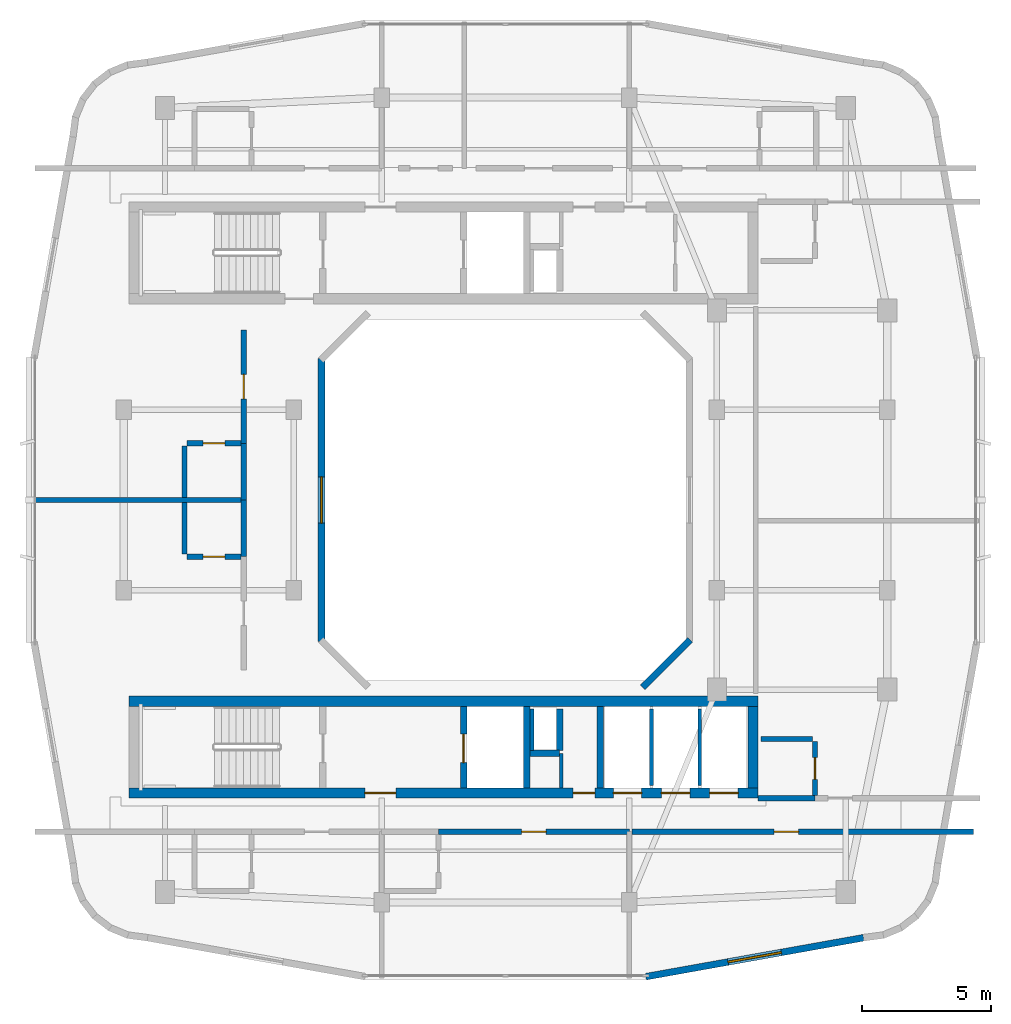
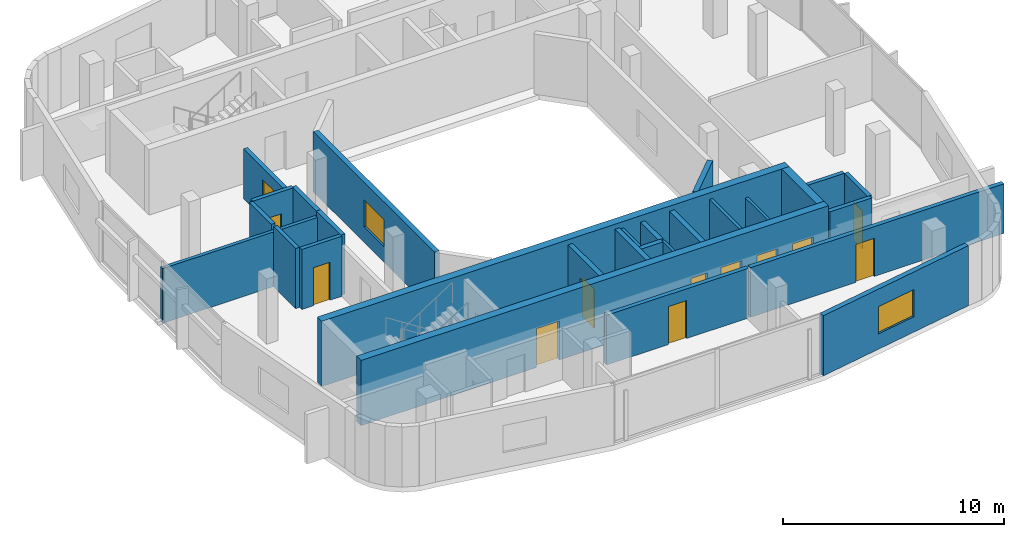
# One storey, part 5 of 10: 28 walls, 12 doors, 2 windows, 14 openings.
"""IFC4 building model written with IfcOpenShell, lengths in metres."""

from ifc_helpers import new_model, si_unit, derived_unit, direction, frame, frame_2d, origin, place, context, subcontext, project, spatial, rectangle, extrude, material, layer, layer_set, type_object, element, fill, save


model = new_model("IFC4")

# Units and contexts
model_context = context("Model", 3, precision=1e-05, world=origin(), true_north=direction((0.0, 1.0)))
body_context = subcontext(model_context, "Body", "Model", "MODEL_VIEW")
ifc_project = project(units=[si_unit("LENGTHUNIT", "METRE"), si_unit("AREAUNIT", "SQUARE_METRE"), si_unit("VOLUMEUNIT", "CUBIC_METRE"), si_unit("PLANEANGLEUNIT", "RADIAN"), si_unit("MASSUNIT", "GRAM", prefix="KILO"), derived_unit("THERMALTRANSMITTANCEUNIT", [(si_unit("POWERUNIT", "WATT"), 1), (si_unit("LENGTHUNIT", "METRE"), -2), (si_unit("THERMODYNAMICTEMPERATUREUNIT", "KELVIN"), -1)])], contexts=[model_context])

# Site, building, storey
site_placement = place(None, origin())
site = spatial("IfcSite", under=ifc_project, at=site_placement, CompositionType="ELEMENT")
building_placement = place(site_placement, origin())
building = spatial("IfcBuilding", under=site, at=building_placement, Name="Kivonza Crest Hotel", CompositionType="ELEMENT")
storey_placement = place(building_placement, frame((0.0, 0.0, 246.800048828125)))
storey = spatial("IfcBuildingStorey", under=building, at=storey_placement, Name="L67", CompositionType="ELEMENT", Elevation=246.800048828125)

# Wall
ifc_material_1 = material(Name="High-density acoustic masonry inter-tenancy wall", Category="masonry")
ifc_layer_1 = layer(ifc_material_1, 0.179931640625)
ifc_layer_set_1 = layer_set([ifc_layer_1], Name="High-density acoustic masonry inter-tenancy wall")
wall_type_1 = type_object("IfcWallType", Name="WL-ACOU-180", PredefinedType="SOLIDWALL", material=ifc_layer_set_1)
wall_1_placement = place(storey_placement, frame((2.659912109375, 25.0, 0.0), z_axis=(0.0, 0.0, 1.0), x_axis=(1.0, 0.0, 0.0)))
element("IfcWall", 1, at=wall_1_placement, inside=storey, type_object=wall_type_1, Name="L67 interior partition WA-L67-T1W-DIV1", PredefinedType="SOLIDWALL", context=body_context, shape_type="SweptSolid", body=[
    extrude(rectangle(XDim=8.190185546875, YDim=0.179931640625, at=frame_2d((4.09521484375, 0.0))), origin(), (0.0, 0.0, 1.0), 3.014892578125),
])

# Wall, opening, door
ifc_material_2 = material(Name="Autoclaved aerated concrete blockwork", Category="masonry")
ifc_layer_2 = layer(ifc_material_2, 0.219970703125)
ifc_layer_set_2 = layer_set([ifc_layer_2], Name="Autoclaved aerated concrete blockwork")
wall_type_2 = type_object("IfcWallType", Name="WL-ACOU-220", PredefinedType="SOLIDWALL", material=ifc_layer_set_2)
wall_2_placement = place(storey_placement, frame((18.39990234375, 12.139892578125, 0.0), z_axis=(0.0, 0.0, 1.0), x_axis=(1.0, 0.0, 0.0)))
wall_2 = element("IfcWall", 2, at=wall_2_placement, inside=storey, type_object=wall_type_2, Name="L67 interior partition WA-L67-S04-MCORR", PredefinedType="SOLIDWALL", context=body_context, shape_type="SweptSolid", body=[
    extrude(rectangle(XDim=7.400146484375, YDim=0.219970703125, at=frame_2d((3.7001953125, 0.0))), origin(), (0.0, 0.0, 1.0), 2.744873046875),
])
opening_1_placement = place(wall_2_placement, frame((3.22509765625, 0.0, 0.0)))
opening_1 = element("IfcOpeningElement", 3, at=opening_1_placement, cuts=wall_2, Name="Opening DU-60", PredefinedType="OPENING", context=body_context, shape_type="SweptSolid", body=[
    extrude(rectangle(XDim=0.949951171875, YDim=2.10009765625, at=frame_2d((0.47509765625, 1.050048828125))), frame((0.0, 0.1201171875, 0.0), z_axis=(0.0, -1.0, 0.0), x_axis=(1.0, 0.0, 0.0)), (0.0, 0.0, 1.0), 0.239990234375),
])
ifc_material_3 = material(Name="Hardwood timber oak", Category="wood")
door_type_1 = type_object("IfcDoorType", Name="DR-UNIT-950", OperationType="NOTDEFINED", PredefinedType="DOOR", material=ifc_material_3)
door_1_placement = place(opening_1_placement, frame((0.949951171875, 0.0, 0.0), z_axis=(0.0, 0.0, 1.0), x_axis=(-1.0, 0.0, 0.0)))
door_1 = element("IfcDoor", 4, at=door_1_placement, inside=storey, type_object=door_type_1, Name="L67 S04 guest unit entrance fire door", OperationType="SINGLE_SWING_RIGHT", OverallHeight=2.10009765625, OverallWidth=0.949951171875, PredefinedType="DOOR", context=body_context, shape_type="SweptSolid", body=[
    extrude(rectangle(XDim=0.949951171875, YDim=2.10009765625, at=frame_2d((0.47509765625, 1.050048828125))), frame((0.0, 0.02490234375, 0.0), z_axis=(0.0, -1.0, 0.0), x_axis=(1.0, 0.0, 0.0)), (0.0, 0.0, 1.0), 0.050048828125),
])
fill(opening_1, door_1)

wall_3_placement = place(storey_placement, frame((25.89990234375, 12.139892578125, 0.0), z_axis=(0.0, 0.0, 1.0), x_axis=(1.0, 0.0, 0.0)))
wall_3 = element("IfcWall", 5, at=wall_3_placement, inside=storey, type_object=wall_type_2, Name="L67 interior partition WA-L67-BUS-MTG-N", PredefinedType="SOLIDWALL", context=body_context, shape_type="SweptSolid", body=[
    extrude(rectangle(XDim=13.239990234375, YDim=0.219970703125, at=frame_2d((6.6201171875, 0.0))), origin(), (0.0, 0.0, 1.0), 2.744873046875),
])
opening_2_placement = place(wall_3_placement, frame((5.52099609375, 0.0, 0.0)))
opening_2 = element("IfcOpeningElement", 6, at=opening_2_placement, cuts=wall_3, Name="Opening DF-60S", PredefinedType="OPENING", context=body_context, shape_type="SweptSolid", body=[
    extrude(rectangle(XDim=0.949951171875, YDim=2.10009765625, at=frame_2d((0.47509765625, 1.050048828125))), frame((0.0, 0.1201171875, 0.0), z_axis=(0.0, -1.0, 0.0), x_axis=(1.0, 0.0, 0.0)), (0.0, 0.0, 1.0), 0.239990234375),
])
door_type_2 = type_object("IfcDoorType", Name="DR-FD60-950", OperationType="NOTDEFINED", PredefinedType="DOOR", material=ifc_material_3)
door_2_placement = place(opening_2_placement, frame((0.949951171875, 0.0, 0.0), z_axis=(0.0, 0.0, 1.0), x_axis=(-1.0, 0.0, 0.0)))
door_2 = element("IfcDoor", 7, at=door_2_placement, inside=storey, type_object=door_type_2, Name="L67 Guest Business Office door", OperationType="SINGLE_SWING_RIGHT", OverallHeight=2.10009765625, OverallWidth=0.949951171875, PredefinedType="DOOR", context=body_context, shape_type="SweptSolid", body=[
    extrude(rectangle(XDim=0.949951171875, YDim=2.10009765625, at=frame_2d((0.47509765625, 1.050048828125))), frame((0.0, 0.02490234375, 0.0), z_axis=(0.0, -1.0, 0.0), x_axis=(1.0, 0.0, 0.0)), (0.0, 0.0, 1.0), 0.050048828125),
])
fill(opening_2, door_2)

# Walls
for number, where, z_axis, x_axis, name in (
    (8, (10.85009765625, 22.800048828125, 0.0), (0.0, 0.0, 1.0), (0.0, 1.0, 0.0), "L67 interior partition WA-L67-W05-BCORR"),
    (9, (10.85009765625, 25.0, 0.0), (0.0, 0.0, 1.0), (0.0, 1.0, 0.0), "L67 interior partition WA-L67-W06-BCORR"),
):
    element("IfcWall", number, at=place(storey_placement, frame(where, z_axis=z_axis, x_axis=x_axis)), inside=storey, type_object=wall_type_2, Name=name, PredefinedType="SOLIDWALL", context=body_context, shape_type="SweptSolid", body=[
        extrude(rectangle(XDim=2.199951171875, YDim=0.219970703125, at=frame_2d((1.10009765625, 0.0))), origin(), (0.0, 0.0, 1.0), 3.320068359375),
    ])

# Wall, opening, door
wall_4_placement = place(storey_placement, frame((10.85009765625, 27.199951171875, 0.0), z_axis=(0.0, 0.0, 1.0), x_axis=(0.0, 1.0, 0.0)))
wall_4 = element("IfcWall", 10, at=wall_4_placement, inside=storey, type_object=wall_type_2, Name="L67 interior partition WA-L67-W06-MCORR", PredefinedType="SOLIDWALL", context=body_context, shape_type="SweptSolid", body=[
    extrude(rectangle(XDim=4.400146484375, YDim=0.219970703125, at=frame_2d((2.2001953125, 0.0))), origin(), (0.0, 0.0, 1.0), 2.744873046875),
])
opening_3_placement = place(wall_4_placement, frame((1.72509765625, 0.0, 0.0)))
opening_3 = element("IfcOpeningElement", 11, at=opening_3_placement, cuts=wall_4, Name="Opening DU-60", PredefinedType="OPENING", context=body_context, shape_type="SweptSolid", body=[
    extrude(rectangle(XDim=0.949951171875, YDim=2.10009765625, at=frame_2d((0.47509765625, 1.050048828125))), frame((0.0, 0.1201171875, 0.0), z_axis=(0.0, -1.0, 0.0), x_axis=(1.0, 0.0, 0.0)), (0.0, 0.0, 1.0), 0.239990234375),
])
door_3_placement = place(opening_3_placement, origin())
door_3 = element("IfcDoor", 12, at=door_3_placement, inside=storey, type_object=door_type_1, Name="L67 W06 guest unit entrance fire door", OperationType="SINGLE_SWING_RIGHT", OverallHeight=2.10009765625, OverallWidth=0.949951171875, PredefinedType="DOOR", context=body_context, shape_type="SweptSolid", body=[
    extrude(rectangle(XDim=0.949951171875, YDim=2.10009765625, at=frame_2d((0.47509765625, 1.050048828125))), frame((0.0, 0.02490234375, 0.0), z_axis=(0.0, -1.0, 0.0), x_axis=(1.0, 0.0, 0.0)), (0.0, 0.0, 1.0), 0.050048828125),
])
fill(opening_3, door_3)

# Wall
wall_5_placement = place(storey_placement, frame((30.800048828125, 13.43994140625, 0.0), z_axis=(0.0, 0.0, 1.0), x_axis=(1.0, 0.0, 0.0)))
element("IfcWall", 13, at=wall_5_placement, inside=storey, type_object=wall_type_2, Name="L67 interior partition WA-L67-ES07-BCORR", PredefinedType="SOLIDWALL", context=body_context, shape_type="SweptSolid", body=[
    extrude(rectangle(XDim=2.199951171875, YDim=0.219970703125, at=frame_2d((1.10009765625, 0.0))), origin(), (0.0, 0.0, 1.0), 3.320068359375),
])

# Wall, openings, doors
ifc_material_4 = material(Name="Concrete C50/60", Category="concrete")
ifc_layer_3 = layer(ifc_material_4, 0.39990234375)
ifc_layer_set_3 = layer_set([ifc_layer_3], Name="Concrete C50/60")
wall_type_3 = type_object("IfcWallType", Name="WL-CORE-400", PredefinedType="SHEAR", material=ifc_layer_set_3)
wall_6_placement = place(storey_placement, frame((6.39990234375, 13.639892578125, 0.0), z_axis=(0.0, 0.0, 1.0), x_axis=(1.0, 0.0, 0.0)))
wall_6 = element("IfcWall", 14, at=wall_6_placement, inside=storey, type_object=wall_type_3, Name="Core wall T1-S South L67", PredefinedType="SHEAR", context=body_context, shape_type="SweptSolid", body=[
    extrude(rectangle(XDim=24.400146484375, YDim=0.39990234375, at=frame_2d((12.2001953125, 0.0))), origin(), (0.0, 0.0, 1.0), 3.599853515625),
])
opening_4_placement = place(wall_6_placement, frame((9.14990234375, 0.0, 0.0)))
opening_4 = element("IfcOpeningElement", 15, at=opening_4_placement, cuts=wall_6, Name="Opening DF-60", PredefinedType="OPENING", context=body_context, shape_type="SweptSolid", body=[
    extrude(rectangle(XDim=1.199951171875, YDim=2.14990234375, at=frame_2d((0.60009765625, 1.074951171875))), frame((0.0, 0.2099609375, 0.0), z_axis=(0.0, -1.0, 0.0), x_axis=(1.0, 0.0, 0.0)), (0.0, 0.0, 1.0), 0.419921875),
])
opening_5_placement = place(wall_6_placement, frame((17.219970703125, 0.0, 0.0)))
opening_5 = element("IfcOpeningElement", 16, at=opening_5_placement, cuts=wall_6, Name="Opening DF-60R", PredefinedType="OPENING", context=body_context, shape_type="SweptSolid", body=[
    extrude(rectangle(XDim=0.85009765625, YDim=2.10009765625, at=frame_2d((0.425048828125, 1.050048828125))), frame((0.0, 0.2099609375, 0.0), z_axis=(0.0, -1.0, 0.0), x_axis=(1.0, 0.0, 0.0)), (0.0, 0.0, 1.0), 0.419921875),
])
opening_6_placement = place(wall_6_placement, frame((18.782958984375, 0.0, 0.0)))
opening_6 = element("IfcOpeningElement", 17, at=opening_6_placement, cuts=wall_6, Name="Opening LD-120", PredefinedType="OPENING", context=body_context, shape_type="SweptSolid", body=[
    extrude(rectangle(XDim=1.10009765625, YDim=2.14990234375, at=frame_2d((0.550048828125, 1.074951171875))), frame((0.0, 0.2099609375, 0.0), z_axis=(0.0, -1.0, 0.0), x_axis=(1.0, 0.0, 0.0)), (0.0, 0.0, 1.0), 0.419921875),
])
opening_7_placement = place(wall_6_placement, frame((20.64990234375, 0.0, 0.0)))
opening_7 = element("IfcOpeningElement", 18, at=opening_7_placement, cuts=wall_6, Name="Opening LD-120", PredefinedType="OPENING", context=body_context, shape_type="SweptSolid", body=[
    extrude(rectangle(XDim=1.10009765625, YDim=2.14990234375, at=frame_2d((0.550048828125, 1.074951171875))), frame((0.0, 0.2099609375, 0.0), z_axis=(0.0, -1.0, 0.0), x_axis=(1.0, 0.0, 0.0)), (0.0, 0.0, 1.0), 0.419921875),
])
opening_8_placement = place(wall_6_placement, frame((22.51708984375, 0.0, 0.0)))
opening_8 = element("IfcOpeningElement", 19, at=opening_8_placement, cuts=wall_6, Name="Opening LD-120", PredefinedType="OPENING", context=body_context, shape_type="SweptSolid", body=[
    extrude(rectangle(XDim=1.10009765625, YDim=2.14990234375, at=frame_2d((0.550048828125, 1.074951171875))), frame((0.0, 0.2099609375, 0.0), z_axis=(0.0, -1.0, 0.0), x_axis=(1.0, 0.0, 0.0)), (0.0, 0.0, 1.0), 0.419921875),
])
door_type_3 = type_object("IfcDoorType", Name="DR-FD60-1200", OperationType="NOTDEFINED", PredefinedType="DOOR", material=ifc_material_3)
door_4_placement = place(opening_4_placement, frame((1.199951171875, 0.0, 0.0), z_axis=(0.0, 0.0, 1.0), x_axis=(-1.0, 0.0, 0.0)))
door_4 = element("IfcDoor", 20, at=door_4_placement, inside=storey, type_object=door_type_3, Name="L67 T1-S firefighting lobby fire door", OperationType="SINGLE_SWING_LEFT", OverallHeight=2.14990234375, OverallWidth=1.199951171875, PredefinedType="DOOR", context=body_context, shape_type="SweptSolid", body=[
    extrude(rectangle(XDim=1.199951171875, YDim=2.14990234375, at=frame_2d((0.60009765625, 1.074951171875))), frame((0.0, 0.02490234375, 0.0), z_axis=(0.0, -1.0, 0.0), x_axis=(1.0, 0.0, 0.0)), (0.0, 0.0, 1.0), 0.050048828125),
])
fill(opening_4, door_4)
door_type_4 = type_object("IfcDoorType", Name="DR-FD60-850", OperationType="NOTDEFINED", PredefinedType="DOOR", material=ifc_material_3)
door_5_placement = place(opening_5_placement, frame((0.85009765625, 0.0, 0.0), z_axis=(0.0, 0.0, 1.0), x_axis=(-1.0, 0.0, 0.0)))
door_5 = element("IfcDoor", 21, at=door_5_placement, inside=storey, type_object=door_type_4, Name="L67 T1-S core room door", OperationType="SINGLE_SWING_RIGHT", OverallHeight=2.10009765625, OverallWidth=0.85009765625, PredefinedType="DOOR", context=body_context, shape_type="SweptSolid", body=[
    extrude(rectangle(XDim=0.85009765625, YDim=2.10009765625, at=frame_2d((0.425048828125, 1.050048828125))), frame((0.0, 0.02490234375, 0.0), z_axis=(0.0, -1.0, 0.0), x_axis=(1.0, 0.0, 0.0)), (0.0, 0.0, 1.0), 0.050048828125),
])
fill(opening_5, door_5)
ifc_material_5 = material(Name="Stainless steel", Category="steel")
door_type_5 = type_object("IfcDoorType", Name="DR-LD120-1100", OperationType="NOTDEFINED", PredefinedType="DOOR", material=ifc_material_5)
door_6_placement = place(opening_6_placement, frame((1.10009765625, 0.0, 0.0), z_axis=(0.0, 0.0, 1.0), x_axis=(-1.0, 0.0, 0.0)))
door_6 = element("IfcDoor", 22, at=door_6_placement, inside=storey, type_object=door_type_5, Name="L67 PL-T1-H1 passenger lift sliding landing door", OperationType="DOUBLE_DOOR_SLIDING", OverallHeight=2.14990234375, OverallWidth=1.10009765625, PredefinedType="DOOR", context=body_context, shape_type="SweptSolid", body=[
    extrude(rectangle(XDim=1.10009765625, YDim=2.14990234375, at=frame_2d((0.550048828125, 1.074951171875))), frame((0.0, 0.02490234375, 0.0), z_axis=(0.0, -1.0, 0.0), x_axis=(1.0, 0.0, 0.0)), (0.0, 0.0, 1.0), 0.050048828125),
])
fill(opening_6, door_6)
door_7_placement = place(opening_7_placement, frame((1.10009765625, 0.0, 0.0), z_axis=(0.0, 0.0, 1.0), x_axis=(-1.0, 0.0, 0.0)))
door_7 = element("IfcDoor", 23, at=door_7_placement, inside=storey, type_object=door_type_5, Name="L67 PL-T1-H2 passenger lift sliding landing door", OperationType="DOUBLE_DOOR_SLIDING", OverallHeight=2.14990234375, OverallWidth=1.10009765625, PredefinedType="DOOR", context=body_context, shape_type="SweptSolid", body=[
    extrude(rectangle(XDim=1.10009765625, YDim=2.14990234375, at=frame_2d((0.550048828125, 1.074951171875))), frame((0.0, 0.02490234375, 0.0), z_axis=(0.0, -1.0, 0.0), x_axis=(1.0, 0.0, 0.0)), (0.0, 0.0, 1.0), 0.050048828125),
])
fill(opening_7, door_7)
door_8_placement = place(opening_8_placement, frame((1.10009765625, 0.0, 0.0), z_axis=(0.0, 0.0, 1.0), x_axis=(-1.0, 0.0, 0.0)))
door_8 = element("IfcDoor", 24, at=door_8_placement, inside=storey, type_object=door_type_5, Name="L67 PL-T1-H3 passenger lift sliding landing door", OperationType="DOUBLE_DOOR_SLIDING", OverallHeight=2.14990234375, OverallWidth=1.10009765625, PredefinedType="DOOR", context=body_context, shape_type="SweptSolid", body=[
    extrude(rectangle(XDim=1.10009765625, YDim=2.14990234375, at=frame_2d((0.550048828125, 1.074951171875))), frame((0.0, 0.02490234375, 0.0), z_axis=(0.0, -1.0, 0.0), x_axis=(1.0, 0.0, 0.0)), (0.0, 0.0, 1.0), 0.050048828125),
])
fill(opening_8, door_8)

# Walls
wall_7_placement = place(storey_placement, frame((6.39990234375, 17.199951171875, 0.0), z_axis=(0.0, 0.0, 1.0), x_axis=(1.0, 0.0, 0.0)))
element("IfcWall", 25, at=wall_7_placement, inside=storey, type_object=wall_type_3, Name="Core wall T1-S North L67", PredefinedType="SHEAR", context=body_context, shape_type="SweptSolid", body=[
    extrude(rectangle(XDim=24.400146484375, YDim=0.39990234375, at=frame_2d((12.2001953125, 0.0))), origin(), (0.0, 0.0, 1.0), 3.599853515625),
])
wall_8_placement = place(storey_placement, frame((30.60009765625, 13.840087890625, 0.0), z_axis=(0.0, 0.0, 1.0), x_axis=(0.0, 1.0, 0.0)))
element("IfcWall", 26, at=wall_8_placement, inside=storey, type_object=wall_type_3, Name="Core wall T1-S East L67", PredefinedType="SHEAR", context=body_context, shape_type="SweptSolid", body=[
    extrude(rectangle(XDim=3.159912109375, YDim=0.39990234375, at=frame_2d((1.580078125, 0.0))), origin(), (0.0, 0.0, 1.0), 3.599853515625),
])

# Wall, opening, window
ifc_material_6 = material(Name="Precast concrete C40/50", Category="concrete")
ifc_layer_4 = layer(ifc_material_6, 0.260009765625)
ifc_layer_set_4 = layer_set([ifc_layer_4], Name="Precast concrete C40/50")
wall_type_4 = type_object("IfcWallType", Name="WL-EXT-260", PredefinedType="STANDARD", material=ifc_layer_set_4)
wall_9_placement = place(storey_placement, frame((26.443115234375, 6.51806640625, 0.0), z_axis=(0.0, 0.0, 1.0), x_axis=(0.98435676639, 0.176186709098, 0.0)))
wall_9 = element("IfcWall", 27, at=wall_9_placement, inside=storey, type_object=wall_type_4, Name="L67 T1 exterior insulated wall 9", PredefinedType="STANDARD", context=body_context, shape_type="SweptSolid", body=[
    extrude(rectangle(XDim=8.576171875, YDim=0.260009765625, at=frame_2d((4.2880859375, 0.0))), origin(), (0.0, 0.0, 1.0), 3.320068359375),
])
opening_9_placement = place(wall_9_placement, frame((3.238037109375, 0.0, 0.85009765625)))
opening_9 = element("IfcOpeningElement", 28, at=opening_9_placement, cuts=wall_9, Name="Opening WN-04", PredefinedType="OPENING", context=body_context, shape_type="SweptSolid", body=[
    extrude(rectangle(XDim=2.10009765625, YDim=1.5, at=frame_2d((1.050048828125, 0.75))), frame((0.0, 0.14013671875, 0.0), z_axis=(0.0, -1.0, 0.0), x_axis=(1.0, 0.0, 0.0)), (0.0, 0.0, 1.0), 0.280029296875),
])
ifc_material_7 = material(Name="Thermally broken bronze aluminium and low-E double glazing", Category="aluminium")
window_type_1 = type_object("IfcWindowType", Name="WN-210x150", PartitioningType="DOUBLE_PANEL_VERTICAL", PredefinedType="WINDOW", material=ifc_material_7)
window_1_placement = place(opening_9_placement, origin())
window_1 = element("IfcWindow", 29, at=window_1_placement, inside=storey, type_object=window_type_1, Name="L67 T1 facade window 9", OverallHeight=1.5, OverallWidth=2.10009765625, PartitioningType="SINGLE_PANEL", PredefinedType="WINDOW", context=body_context, shape_type="SweptSolid", body=[
    extrude(rectangle(XDim=2.10009765625, YDim=1.5, at=frame_2d((1.050048828125, 0.75))), frame((0.0, 0.030029296875, 0.0), z_axis=(0.0, -1.0, 0.0), x_axis=(1.0, 0.0, 0.0)), (0.0, 0.0, 1.0), 0.06005859375),
])
fill(opening_9, window_1)

# Wall
wall_10_placement = place(storey_placement, frame((26.322021484375, 17.738037109375, 0.0), z_axis=(0.0, 0.0, 1.0), x_axis=(0.707106781187, 0.707106781187, 0.0)))
element("IfcWall", 30, at=wall_10_placement, inside=storey, type_object=wall_type_4, Name="L67 T1 light-well exterior wall 2", PredefinedType="STANDARD", context=body_context, shape_type="SweptSolid", body=[
    extrude(rectangle(XDim=2.59375, YDim=0.260009765625, at=frame_2d((1.296875, 0.0))), origin(), (0.0, 0.0, 1.0), 3.320068359375),
])

# Wall, opening, window
wall_11_placement = place(storey_placement, frame((13.8701171875, 30.489990234375, 0.0), z_axis=(0.0, 0.0, 1.0), x_axis=(0.0, -1.0, 0.0)))
wall_11 = element("IfcWall", 31, at=wall_11_placement, inside=storey, type_object=wall_type_4, Name="L67 T1 light-well exterior wall 7", PredefinedType="STANDARD", context=body_context, shape_type="SweptSolid", body=[
    extrude(rectangle(XDim=10.97998046875, YDim=0.260009765625, at=frame_2d((5.489990234375, 0.0))), origin(), (0.0, 0.0, 1.0), 3.320068359375),
])
opening_10_placement = place(wall_11_placement, frame((4.590087890625, 0.0, 0.85009765625)))
opening_10 = element("IfcOpeningElement", 32, at=opening_10_placement, cuts=wall_11, Name="Opening WN-03", PredefinedType="OPENING", context=body_context, shape_type="SweptSolid", body=[
    extrude(rectangle(XDim=1.800048828125, YDim=1.5, at=frame_2d((0.89990234375, 0.75))), frame((0.0, 0.14013671875, 0.0), z_axis=(0.0, -1.0, 0.0), x_axis=(1.0, 0.0, 0.0)), (0.0, 0.0, 1.0), 0.280029296875),
])
window_type_2 = type_object("IfcWindowType", Name="WN-180x150", PartitioningType="DOUBLE_PANEL_VERTICAL", PredefinedType="WINDOW", material=ifc_material_7)
window_2_placement = place(opening_10_placement, origin())
window_2 = element("IfcWindow", 33, at=window_2_placement, inside=storey, type_object=window_type_2, Name="L67 T1 light-well window 7", OverallHeight=1.5, OverallWidth=1.800048828125, PartitioningType="SINGLE_PANEL", PredefinedType="WINDOW", context=body_context, shape_type="SweptSolid", body=[
    extrude(rectangle(XDim=1.800048828125, YDim=1.5, at=frame_2d((0.89990234375, 0.75))), frame((0.0, 0.030029296875, 0.0), z_axis=(0.0, -1.0, 0.0), x_axis=(1.0, 0.0, 0.0)), (0.0, 0.0, 1.0), 0.06005859375),
])
fill(opening_10, window_2)

# Walls
ifc_material_8 = material(Name="Concrete blockwork fire-compartment wall", Category="masonry")
ifc_layer_5 = layer(ifc_material_8, 0.25)
ifc_layer_set_5 = layer_set([ifc_layer_5], Name="Concrete blockwork fire-compartment wall")
wall_type_5 = type_object("IfcWallType", Name="WL-FIRE-250", PredefinedType="SOLIDWALL", material=ifc_layer_set_5)
wall_12_placement = place(storey_placement, frame((23.10009765625, 15.280029296875, 0.0), z_axis=(0.0, 0.0, 1.0), x_axis=(0.0, 1.0, 0.0)))
element("IfcWall", 34, at=wall_12_placement, inside=storey, type_object=wall_type_5, Name="L67 interior partition WA-L67-T1-S-MEPR-E", PredefinedType="SOLIDWALL", context=body_context, shape_type="SweptSolid", body=[
    extrude(rectangle(XDim=1.619873046875, YDim=0.25, at=frame_2d((0.81005859375, 0.0))), origin(), (0.0, 0.0, 1.0), 3.320068359375),
])
wall_13_placement = place(storey_placement, frame((21.949951171875, 15.179931640625, 0.0), z_axis=(0.0, 0.0, 1.0), x_axis=(1.0, 0.0, 0.0)))
element("IfcWall", 35, at=wall_13_placement, inside=storey, type_object=wall_type_5, Name="L67 interior partition WA-L67-T1-S-MEPR-H", PredefinedType="SOLIDWALL", context=body_context, shape_type="SweptSolid", body=[
    extrude(rectangle(XDim=1.150146484375, YDim=0.25, at=frame_2d((0.5751953125, 0.0))), origin(), (0.0, 0.0, 1.0), 3.320068359375),
])
ifc_material_9 = material(Name="Metal-stud gypsum board partition", Category="gypsum")
ifc_layer_6 = layer(ifc_material_9, 0.125)
ifc_layer_set_6 = layer_set([ifc_layer_6], Name="Metal-stud gypsum board partition")
wall_type_6 = type_object("IfcWallType", Name="WL-PART-125", PredefinedType="PARTITIONING", material=ifc_layer_set_6)
wall_14_placement = place(storey_placement, frame((23.159912109375, 13.840087890625, 0.0), z_axis=(0.0, 0.0, 1.0), x_axis=(0.0, 1.0, 0.0)))
element("IfcWall", 36, at=wall_14_placement, inside=storey, type_object=wall_type_6, Name="L67 interior partition WP-L67-T1-S-SV1V", PredefinedType="PARTITIONING", context=body_context, shape_type="SweptSolid", body=[
    extrude(rectangle(XDim=1.33984375, YDim=0.125, at=frame_2d((0.669921875, 0.0))), origin(), (0.0, 0.0, 1.0), 3.320068359375),
])
ifc_material_10 = material(Name="Twin-stud acoustic gypsum board partition", Category="gypsum")
ifc_layer_7 = layer(ifc_material_10, 0.14990234375)
ifc_layer_set_7 = layer_set([ifc_layer_7], Name="Twin-stud acoustic gypsum board partition")
wall_type_7 = type_object("IfcWallType", Name="WL-PART-150", PredefinedType="PARTITIONING", material=ifc_layer_set_7)
wall_15_placement = place(storey_placement, frame((22.030029296875, 15.280029296875, 0.0), z_axis=(0.0, 0.0, 1.0), x_axis=(0.0, 1.0, 0.0)))
element("IfcWall", 37, at=wall_15_placement, inside=storey, type_object=wall_type_7, Name="L67 interior partition WA-L67-T1-S-MEPR-W", PredefinedType="PARTITIONING", context=body_context, shape_type="SweptSolid", body=[
    extrude(rectangle(XDim=1.619873046875, YDim=0.14990234375, at=frame_2d((0.81005859375, 0.0))), origin(), (0.0, 0.0, 1.0), 3.320068359375),
])
wall_16_placement = place(storey_placement, frame((26.6669921875, 13.93994140625, 0.0), z_axis=(0.0, 0.0, 1.0), x_axis=(0.0, 1.0, 0.0)))
element("IfcWall", 38, at=wall_16_placement, inside=storey, type_object=wall_type_7, Name="L67 interior partition WP-L67-T1-S-BSH-1", PredefinedType="PARTITIONING", context=body_context, shape_type="SweptSolid", body=[
    extrude(rectangle(XDim=2.9599609375, YDim=0.14990234375, at=frame_2d((1.47998046875, 0.0))), origin(), (0.0, 0.0, 1.0), 3.320068359375),
])
wall_17_placement = place(storey_placement, frame((28.532958984375, 13.93994140625, 0.0), z_axis=(0.0, 0.0, 1.0), x_axis=(0.0, 1.0, 0.0)))
element("IfcWall", 39, at=wall_17_placement, inside=storey, type_object=wall_type_7, Name="L67 interior partition WP-L67-T1-S-BSH-2", PredefinedType="PARTITIONING", context=body_context, shape_type="SweptSolid", body=[
    extrude(rectangle(XDim=2.9599609375, YDim=0.14990234375, at=frame_2d((1.47998046875, 0.0))), origin(), (0.0, 0.0, 1.0), 2.744873046875),
])

# Wall, opening, door
ifc_material_11 = material(Name="Moisture-resistant plumbing chase partition wall", Category="gypsum")
ifc_layer_8 = layer(ifc_material_11, 0.199951171875)
ifc_layer_set_8 = layer_set([ifc_layer_8], Name="Moisture-resistant plumbing chase partition wall")
wall_type_8 = type_object("IfcWallType", Name="WL-PLUMB-200", PredefinedType="PLUMBINGWALL", material=ifc_layer_set_8)
wall_18_placement = place(storey_placement, frame((8.64990234375, 22.800048828125, 0.0), z_axis=(0.0, 0.0, 1.0), x_axis=(1.0, 0.0, 0.0)))
wall_18 = element("IfcWall", 40, at=wall_18_placement, inside=storey, type_object=wall_type_8, Name="L67 interior partition WW-L67-W05-BH", PredefinedType="PLUMBINGWALL", context=body_context, shape_type="SweptSolid", body=[
    extrude(rectangle(XDim=2.10009765625, YDim=0.199951171875, at=frame_2d((1.050048828125, 0.0))), origin(), (0.0, 0.0, 1.0), 3.320068359375),
])
opening_11_placement = place(wall_18_placement, frame((0.625, 0.0, 0.0)))
opening_11 = element("IfcOpeningElement", 41, at=opening_11_placement, cuts=wall_18, Name="Opening DI-85", PredefinedType="OPENING", context=body_context, shape_type="SweptSolid", body=[
    extrude(rectangle(XDim=0.85009765625, YDim=2.10009765625, at=frame_2d((0.425048828125, 1.050048828125))), frame((0.0, 0.10986328125, 0.0), z_axis=(0.0, -1.0, 0.0), x_axis=(1.0, 0.0, 0.0)), (0.0, 0.0, 1.0), 0.219970703125),
])
door_type_6 = type_object("IfcDoorType", Name="DR-INT-850", OperationType="NOTDEFINED", PredefinedType="DOOR", material=ifc_material_3)
door_9_placement = place(opening_11_placement, frame((0.85009765625, 0.0, 0.0), z_axis=(0.0, 0.0, 1.0), x_axis=(-1.0, 0.0, 0.0)))
door_9 = element("IfcDoor", 42, at=door_9_placement, inside=storey, type_object=door_type_6, Name="L67 W05 en-suite bathroom door", OperationType="SINGLE_SWING_RIGHT", OverallHeight=2.10009765625, OverallWidth=0.85009765625, PredefinedType="DOOR", context=body_context, shape_type="SweptSolid", body=[
    extrude(rectangle(XDim=0.85009765625, YDim=2.10009765625, at=frame_2d((0.425048828125, 1.050048828125))), frame((0.0, 0.02490234375, 0.0), z_axis=(0.0, -1.0, 0.0), x_axis=(1.0, 0.0, 0.0)), (0.0, 0.0, 1.0), 0.050048828125),
])
fill(opening_11, door_9)

# Wall
wall_19_placement = place(storey_placement, frame((8.550048828125, 22.89990234375, 0.0), z_axis=(0.0, 0.0, 1.0), x_axis=(0.0, 1.0, 0.0)))
element("IfcWall", 43, at=wall_19_placement, inside=storey, type_object=wall_type_8, Name="L67 interior partition WW-L67-W05-BV", PredefinedType="PLUMBINGWALL", context=body_context, shape_type="SweptSolid", body=[
    extrude(rectangle(XDim=2.0, YDim=0.199951171875, at=frame_2d((1.0, 0.0))), origin(), (0.0, 0.0, 1.0), 3.320068359375),
])

# Wall, opening, door
wall_20_placement = place(storey_placement, frame((8.64990234375, 27.199951171875, 0.0), z_axis=(0.0, 0.0, 1.0), x_axis=(1.0, 0.0, 0.0)))
wall_20 = element("IfcWall", 44, at=wall_20_placement, inside=storey, type_object=wall_type_8, Name="L67 interior partition WW-L67-W06-BH", PredefinedType="PLUMBINGWALL", context=body_context, shape_type="SweptSolid", body=[
    extrude(rectangle(XDim=2.10009765625, YDim=0.199951171875, at=frame_2d((1.050048828125, 0.0))), origin(), (0.0, 0.0, 1.0), 3.320068359375),
])
opening_12_placement = place(wall_20_placement, frame((0.625, 0.0, 0.0)))
opening_12 = element("IfcOpeningElement", 45, at=opening_12_placement, cuts=wall_20, Name="Opening DI-85", PredefinedType="OPENING", context=body_context, shape_type="SweptSolid", body=[
    extrude(rectangle(XDim=0.85009765625, YDim=2.10009765625, at=frame_2d((0.425048828125, 1.050048828125))), frame((0.0, 0.10986328125, 0.0), z_axis=(0.0, -1.0, 0.0), x_axis=(1.0, 0.0, 0.0)), (0.0, 0.0, 1.0), 0.219970703125),
])
door_10_placement = place(opening_12_placement, origin())
door_10 = element("IfcDoor", 46, at=door_10_placement, inside=storey, type_object=door_type_6, Name="L67 W06 en-suite bathroom door", OperationType="SINGLE_SWING_LEFT", OverallHeight=2.10009765625, OverallWidth=0.85009765625, PredefinedType="DOOR", context=body_context, shape_type="SweptSolid", body=[
    extrude(rectangle(XDim=0.85009765625, YDim=2.10009765625, at=frame_2d((0.425048828125, 1.050048828125))), frame((0.0, 0.02490234375, 0.0), z_axis=(0.0, -1.0, 0.0), x_axis=(1.0, 0.0, 0.0)), (0.0, 0.0, 1.0), 0.050048828125),
])
fill(opening_12, door_10)

# Wall
wall_21_placement = place(storey_placement, frame((8.550048828125, 25.10009765625, 0.0), z_axis=(0.0, 0.0, 1.0), x_axis=(0.0, 1.0, 0.0)))
element("IfcWall", 47, at=wall_21_placement, inside=storey, type_object=wall_type_8, Name="L67 interior partition WW-L67-W06-BV", PredefinedType="PLUMBINGWALL", context=body_context, shape_type="SweptSolid", body=[
    extrude(rectangle(XDim=2.0, YDim=0.199951171875, at=frame_2d((1.0, 0.0))), origin(), (0.0, 0.0, 1.0), 3.320068359375),
])

# Wall, opening, door
wall_22_placement = place(storey_placement, frame((33.0, 13.5400390625, 0.0), z_axis=(0.0, 0.0, 1.0), x_axis=(0.0, 1.0, 0.0)))
wall_22 = element("IfcWall", 48, at=wall_22_placement, inside=storey, type_object=wall_type_8, Name="L67 interior partition WW-L67-ES07-BV", PredefinedType="PLUMBINGWALL", context=body_context, shape_type="SweptSolid", body=[
    extrude(rectangle(XDim=2.099853515625, YDim=0.199951171875, at=frame_2d((1.0498046875, 0.0))), origin(), (0.0, 0.0, 1.0), 3.320068359375),
])
opening_13_placement = place(wall_22_placement, frame((0.625, 0.0, 0.0)))
opening_13 = element("IfcOpeningElement", 49, at=opening_13_placement, cuts=wall_22, Name="Opening DI-85", PredefinedType="OPENING", context=body_context, shape_type="SweptSolid", body=[
    extrude(rectangle(XDim=0.85009765625, YDim=2.10009765625, at=frame_2d((0.425048828125, 1.050048828125))), frame((0.0, 0.10986328125, 0.0), z_axis=(0.0, -1.0, 0.0), x_axis=(1.0, 0.0, 0.0)), (0.0, 0.0, 1.0), 0.219970703125),
])
door_11_placement = place(opening_13_placement, frame((0.85009765625, 0.0, 0.0), z_axis=(0.0, 0.0, 1.0), x_axis=(-1.0, 0.0, 0.0)))
door_11 = element("IfcDoor", 50, at=door_11_placement, inside=storey, type_object=door_type_6, Name="L67 ES07 en-suite bathroom door", OperationType="SINGLE_SWING_LEFT", OverallHeight=2.10009765625, OverallWidth=0.85009765625, PredefinedType="DOOR", context=body_context, shape_type="SweptSolid", body=[
    extrude(rectangle(XDim=0.85009765625, YDim=2.10009765625, at=frame_2d((0.425048828125, 1.050048828125))), frame((0.0, 0.02490234375, 0.0), z_axis=(0.0, -1.0, 0.0), x_axis=(1.0, 0.0, 0.0)), (0.0, 0.0, 1.0), 0.050048828125),
])
fill(opening_13, door_11)

# Wall
wall_23_placement = place(storey_placement, frame((30.89990234375, 15.739990234375, 0.0), z_axis=(0.0, 0.0, 1.0), x_axis=(1.0, 0.0, 0.0)))
element("IfcWall", 51, at=wall_23_placement, inside=storey, type_object=wall_type_8, Name="L67 interior partition WW-L67-ES07-BH", PredefinedType="PLUMBINGWALL", context=body_context, shape_type="SweptSolid", body=[
    extrude(rectangle(XDim=2.0, YDim=0.199951171875, at=frame_2d((1.0, 0.0))), origin(), (0.0, 0.0, 1.0), 3.320068359375),
])

# Wall, opening, door
ifc_layer_9 = layer(ifc_material_4, 0.25)
ifc_layer_set_9 = layer_set([ifc_layer_9], Name="Concrete C50/60")
wall_type_9 = type_object("IfcWallType", Name="WL-SHAFT-250", PredefinedType="STANDARD", material=ifc_layer_set_9)
wall_24_placement = place(storey_placement, frame((19.375, 13.840087890625, 0.0), z_axis=(0.0, 0.0, 1.0), x_axis=(0.0, 1.0, 0.0)))
wall_24 = element("IfcWall", 52, at=wall_24_placement, inside=storey, type_object=wall_type_9, Name="Core shaft wall T1-S FFL-W L67", PredefinedType="STANDARD", context=body_context, shape_type="SweptSolid", body=[
    extrude(rectangle(XDim=3.159912109375, YDim=0.25, at=frame_2d((1.580078125, 0.0))), origin(), (0.0, 0.0, 1.0), 3.320068359375),
])
opening_14_placement = place(wall_24_placement, frame((0.97998046875, 0.0, 0.0)))
opening_14 = element("IfcOpeningElement", 53, at=opening_14_placement, cuts=wall_24, Name="Opening LD-120", PredefinedType="OPENING", context=body_context, shape_type="SweptSolid", body=[
    extrude(rectangle(XDim=1.10009765625, YDim=2.14990234375, at=frame_2d((0.550048828125, 1.074951171875))), frame((0.0, 0.135009765625, 0.0), z_axis=(0.0, -1.0, 0.0), x_axis=(1.0, 0.0, 0.0)), (0.0, 0.0, 1.0), 0.27001953125),
])
door_12_placement = place(opening_14_placement, origin())
door_12 = element("IfcDoor", 54, at=door_12_placement, inside=storey, type_object=door_type_5, Name="L67 FFL-T1-S firefighting lift sliding landing door", OperationType="DOUBLE_DOOR_SLIDING", OverallHeight=2.14990234375, OverallWidth=1.10009765625, PredefinedType="DOOR", context=body_context, shape_type="SweptSolid", body=[
    extrude(rectangle(XDim=1.10009765625, YDim=2.14990234375, at=frame_2d((0.550048828125, 1.074951171875))), frame((0.0, 0.02490234375, 0.0), z_axis=(0.0, -1.0, 0.0), x_axis=(1.0, 0.0, 0.0)), (0.0, 0.0, 1.0), 0.050048828125),
])
fill(opening_14, door_12)

# Walls
for number, where, z_axis, x_axis, name in (
    (55, (21.824951171875, 13.840087890625, 0.0), (0.0, 0.0, 1.0), (0.0, 1.0, 0.0), "Core shaft wall T1-S FFL-E L67"),
    (56, (24.675048828125, 13.840087890625, 0.0), (0.0, 0.0, 1.0), (0.0, 1.0, 0.0), "Core shaft wall T1-S BANK-W L67"),
):
    element("IfcWall", number, at=place(storey_placement, frame(where, z_axis=z_axis, x_axis=x_axis)), inside=storey, type_object=wall_type_9, Name=name, PredefinedType="STANDARD", context=body_context, shape_type="SweptSolid", body=[
        extrude(rectangle(XDim=3.159912109375, YDim=0.25, at=frame_2d((1.580078125, 0.0))), origin(), (0.0, 0.0, 1.0), 3.320068359375),
    ])

save(model, "model.ifc")
